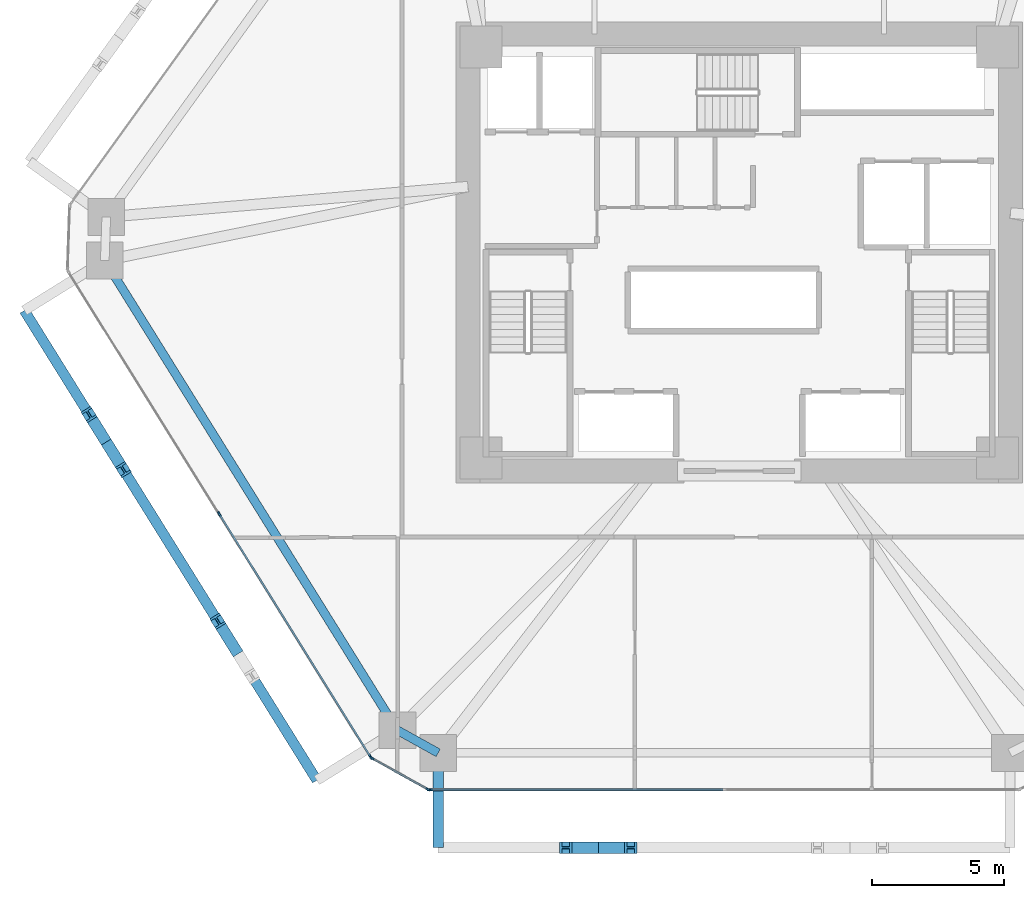
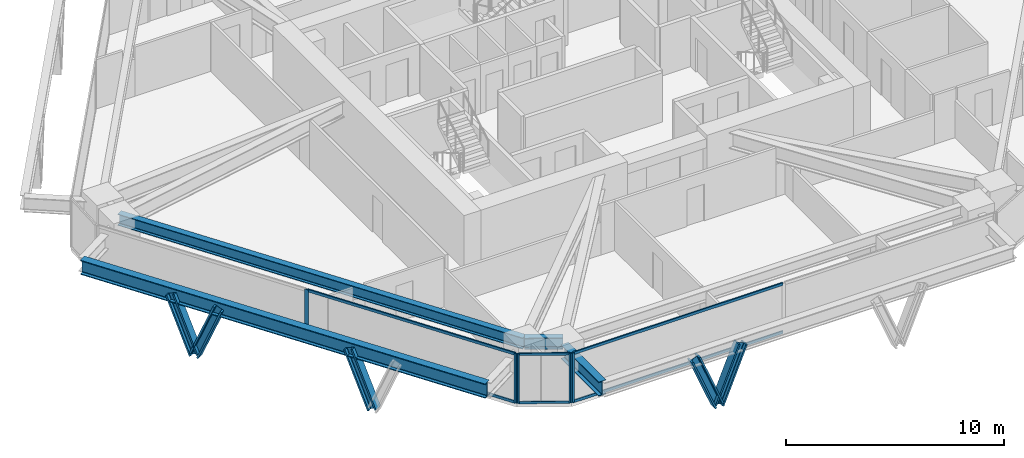
# One storey, part 2 of 15: 16 members, 4 beams, 3 elements without a shape of their own.
"""IFC4 building model written with IfcOpenShell, lengths in metres."""

import ifcopenshell
import ifcopenshell.guid

model = None  # the IFC model being written
_history = None  # IfcOwnerHistory: only IFC2X3 demands one
_inside = {}  # id of a spatial element -> (the spatial element, [elements in it])
_under = {}  # id of a project, library or spatial element -> (it, [spatial elements below it])
_declared = {}  # id of a project -> (the project, [libraries it declares])
_typed = {}  # id of a type object -> (the type object, [elements of that type])
_made_of = {}  # id of a material, layer set ... -> (it, [elements and type objects made of it])


def new_model(schema):
    """Start an empty IFC model of exactly this schema.

    Asked for "IFC4X3", IfcOpenShell would pick the latest addendum, in which some entities
    have other attributes; the version numbers below select the first issue.
    IFC2X3 requires an IfcOwnerHistory on every rooted entity: one is made here for all.
    """
    global model, _history
    if schema == "IFC4X3":
        model = ifcopenshell.file(schema_version=(4, 3, 0, 0))
    else:
        model = ifcopenshell.file(schema=schema)
    _inside.clear()
    _under.clear()
    _declared.clear()
    _typed.clear()
    _made_of.clear()
    _history = None
    if model.schema == "IFC2X3":
        org = make("IfcOrganization", Name="unknown")
        user = make(
            "IfcPersonAndOrganization",
            ThePerson=make("IfcPerson", FamilyName="unknown"),
            TheOrganization=org,
        )
        app = make(
            "IfcApplication",
            ApplicationDeveloper=org,
            Version="unknown",
            ApplicationFullName="unknown",
            ApplicationIdentifier="unknown",
        )
        _history = make(
            "IfcOwnerHistory",
            OwningUser=user,
            OwningApplication=app,
            ChangeAction="ADDED",
            CreationDate=0,
        )
    return model


def make(cls, **values):
    """One entity of the class cls with the attributes given. An attribute that is None is left unset."""
    return model.create_entity(
        cls, **{name: value for name, value in values.items() if value is not None}
    )


def rooted(cls, **values):
    """An entity with a GlobalId (a new one), such as an element, a storey or a relation."""
    return make(cls, GlobalId=ifcopenshell.guid.new(), OwnerHistory=_history, **values)


def si_unit(unit_type, name, prefix=None):
    """IfcSIUnit, for example si_unit("LENGTHUNIT", "METRE", prefix="MILLI")."""
    return make("IfcSIUnit", UnitType=unit_type, Prefix=prefix, Name=name)


def assignment(units):
    """IfcUnitAssignment: the units of a project."""
    return None if units is None else make("IfcUnitAssignment", Units=units)


def point(xyz):
    """IfcCartesianPoint."""
    return None if xyz is None else make("IfcCartesianPoint", Coordinates=xyz)


def direction(xyz):
    """IfcDirection."""
    return None if xyz is None else make("IfcDirection", DirectionRatios=xyz)


def frame(location, z_axis=None, x_axis=None):
    """IfcAxis2Placement3D, a coordinate frame: its origin and axes. An axis left out is left unset."""
    return make(
        "IfcAxis2Placement3D",
        Location=point(location),
        Axis=direction(z_axis),
        RefDirection=direction(x_axis),
    )


def frame_2d(location, x_axis=None):
    """IfcAxis2Placement2D, a coordinate frame in the plane: its origin and x axis."""
    return make(
        "IfcAxis2Placement2D", Location=point(location), RefDirection=direction(x_axis)
    )


def origin():
    """The frame at (0, 0, 0) with its axes left unset."""
    return frame((0.0, 0.0, 0.0))


def origin_2d():
    """The frame at (0, 0) in the plane with its x axis left unset."""
    return frame_2d((0.0, 0.0))


def place(relative_to, where):
    """IfcLocalPlacement: puts the frame where relative to a parent placement (None: the world)."""
    return make(
        "IfcLocalPlacement", PlacementRelTo=relative_to, RelativePlacement=where
    )


def context(
    kind, dimensions, precision=None, world=None, true_north=None, identifier=None
):
    """IfcGeometricRepresentationContext, for example the 3D "Model" context."""
    return make(
        "IfcGeometricRepresentationContext",
        ContextIdentifier=identifier,
        ContextType=kind,
        CoordinateSpaceDimension=dimensions,
        Precision=precision,
        WorldCoordinateSystem=world,
        TrueNorth=true_north,
    )


def subcontext(parent, identifier, kind, view, scale=None):
    """IfcGeometricRepresentationSubContext, for example "Body" below "Model"."""
    return make(
        "IfcGeometricRepresentationSubContext",
        ContextIdentifier=identifier,
        ContextType=kind,
        ParentContext=parent,
        TargetScale=scale,
        TargetView=view,
    )


def project(units=None, contexts=None):
    """IfcProject with its units and contexts."""
    return rooted(
        "IfcProject",
        Name="project",
        RepresentationContexts=contexts,
        UnitsInContext=assignment(units),
    )


def spatial(cls, under=None, at=None, **own):
    """A site, building, storey or space (cls), placed at a placement, below another one or the project."""
    s = rooted(cls, ObjectPlacement=at, **own)
    if under is not None:
        _under.setdefault(under.id(), (under, []))[1].append(s)
    return s


def profile(cls, at=None, kind="AREA", **sizes):
    """A parametric profile (cls). Its sizes go by their IFC names, for example OverallWidth=200.0."""
    return make(cls, ProfileType=kind, Position=at, **sizes)


def rectangle(**sizes):
    """IfcRectangleProfileDef."""
    return profile("IfcRectangleProfileDef", **sizes)


def i_section(**sizes):
    """IfcIShapeProfileDef."""
    return profile("IfcIShapeProfileDef", **sizes)


def extrude(swept, where, along, depth):
    """IfcExtrudedAreaSolid: the profile swept, set in the frame where, extruded along a direction by depth."""
    return make(
        "IfcExtrudedAreaSolid",
        SweptArea=swept,
        Position=where,
        ExtrudedDirection=direction(along),
        Depth=depth,
    )


def shape(context_of_items, identifier, shape_type, items):
    """IfcShapeRepresentation: the items that make up one representation, for example the "Body"."""
    return make(
        "IfcShapeRepresentation",
        ContextOfItems=context_of_items,
        RepresentationIdentifier=identifier,
        RepresentationType=shape_type,
        Items=items,
    )


def source(mapping_origin, context_of_items, identifier, shape_type, items):
    """IfcRepresentationMap: a shape defined once, which mapped items show again and again."""
    return make(
        "IfcRepresentationMap",
        MappingOrigin=mapping_origin,
        MappedRepresentation=shape(context_of_items, identifier, shape_type, items),
    )


def transform(
    local_origin,
    x_axis=None,
    y_axis=None,
    z_axis=None,
    scale=None,
    scale2=None,
    scale3=None,
    uniform=True,
):
    """IfcCartesianTransformationOperator3D, or its non-uniform kind. x_axis, y_axis, z_axis: its Axis1, 2, 3."""
    if uniform:
        return make(
            "IfcCartesianTransformationOperator3D",
            Axis1=direction(x_axis),
            Axis2=direction(y_axis),
            LocalOrigin=point(local_origin),
            Scale=scale,
            Axis3=direction(z_axis),
        )
    return make(
        "IfcCartesianTransformationOperator3DnonUniform",
        Axis1=direction(x_axis),
        Axis2=direction(y_axis),
        LocalOrigin=point(local_origin),
        Scale=scale,
        Axis3=direction(z_axis),
        Scale2=scale2,
        Scale3=scale3,
    )


def mapped(mapping_source, mapping_target):
    """IfcMappedItem: shows the shape of a source again, moved by a transform."""
    return make(
        "IfcMappedItem", MappingSource=mapping_source, MappingTarget=mapping_target
    )


def material(Name=None, Category=None):
    """IfcMaterial."""
    return make("IfcMaterial", Name=Name, Category=Category)


def layer(
    of_material, thickness, ventilated=None, Name=None, Category=None, Priority=None
):
    """IfcMaterialLayer: one layer of a wall or slab, of a material (None: an air gap)."""
    return make(
        "IfcMaterialLayer",
        Material=of_material,
        LayerThickness=thickness,
        IsVentilated=ventilated,
        Name=Name,
        Category=Category,
        Priority=Priority,
    )


def layer_set(layers, Name=None):
    """IfcMaterialLayerSet."""
    return make("IfcMaterialLayerSet", MaterialLayers=layers, LayerSetName=Name)


def material_profile(
    of_material, cross_section, Name=None, Category=None, Priority=None
):
    """IfcMaterialProfile: a cross section and its material."""
    return make(
        "IfcMaterialProfile",
        Name=Name,
        Material=of_material,
        Profile=cross_section,
        Priority=Priority,
        Category=Category,
    )


def profile_set(profiles, Name=None, composite=None):
    """IfcMaterialProfileSet."""
    return make(
        "IfcMaterialProfileSet",
        Name=Name,
        MaterialProfiles=profiles,
        CompositeProfile=composite,
    )


def made_of(thing, what):
    """Note that an element or type object is made of a material, layer set ...; save() writes the relation."""
    if what is not None:
        _made_of.setdefault(what.id(), (what, []))[1].append(thing)
    return thing


def type_object(cls, material=None, **own):
    """A type object (cls), such as IfcWallType, which elements share."""
    return made_of(rooted(cls, **own), material)


def type_shapes(of_type, sources):
    """Give a type object the sources (RepresentationMaps) that its elements show as mapped items."""
    of_type.RepresentationMaps = sources


def element(
    cls,
    number,
    at=None,
    inside=None,
    cuts=None,
    type_object=None,
    material=None,
    context=None,
    identifier="Body",
    shape_type=None,
    held_by="IfcProductDefinitionShape",
    body=None,
    shapes=None,
    **own,
):
    """One element of the class cls, such as IfcWall. Its Tag is "e" and its number.

    at: its placement. inside: the storey or other place that contains it. cuts: it is an
    opening in that element (IfcRelVoidsElement). A single representation is given by context,
    identifier, shape_type and body (its items); several are given by shapes. held_by: the class
    of the entity that holds the representations. save() writes the other relations.
    """
    e = rooted(cls, Tag="e%d" % number, ObjectPlacement=at, **own)
    if body is not None:
        shapes = [shape(context, identifier, shape_type, body)]
    if shapes is not None:
        e.Representation = make(held_by, Representations=shapes)
    if inside is not None:
        _inside.setdefault(inside.id(), (inside, []))[1].append(e)
    if cuts is not None:
        rooted(
            "IfcRelVoidsElement", RelatingBuildingElement=cuts, RelatedOpeningElement=e
        )
    if type_object is not None:
        _typed.setdefault(type_object.id(), (type_object, []))[1].append(e)
    return made_of(e, material)


def aggregate(whole, parts):
    """IfcRelAggregates: a whole, such as a stair, and the parts it consists of."""
    return rooted("IfcRelAggregates", RelatingObject=whole, RelatedObjects=parts)


def save(model, path):
    """Write the relations noted so far, then the file.

    IfcRelAggregates (storeys below a building ...), IfcRelContainedInSpatialStructure (elements
    in a storey), IfcRelDefinesByType, IfcRelAssociatesMaterial and IfcRelDeclares: one each for
    every whole, place, type object, material and project.
    """
    for whole, parts in _under.values():
        aggregate(whole, parts)
    for where, things in _inside.values():
        rooted(
            "IfcRelContainedInSpatialStructure",
            RelatedElements=things,
            RelatingStructure=where,
        )
    for kind, things in _typed.values():
        rooted("IfcRelDefinesByType", RelatedObjects=things, RelatingType=kind)
    for what, things in _made_of.values():
        rooted("IfcRelAssociatesMaterial", RelatedObjects=things, RelatingMaterial=what)
    for by, libraries in _declared.values():
        rooted("IfcRelDeclares", RelatingContext=by, RelatedDefinitions=libraries)
    model.write(path)


model = new_model("IFC4")

# Units and contexts
model_context = context("Model", 3, precision=1e-05, world=origin(), true_north=direction((0.0, 1.0)))
body_context = subcontext(model_context, "Body", "Model", "MODEL_VIEW")
ifc_project = project(units=[si_unit("LENGTHUNIT", "METRE"), si_unit("AREAUNIT", "SQUARE_METRE"), si_unit("VOLUMEUNIT", "CUBIC_METRE"), si_unit("PLANEANGLEUNIT", "RADIAN"), si_unit("MASSUNIT", "GRAM", prefix="KILO")], contexts=[model_context])

# Site, building, storey
site_placement = place(None, origin())
site = spatial("IfcSite", under=ifc_project, at=site_placement, CompositionType="ELEMENT")
building_placement = place(site_placement, origin())
building = spatial("IfcBuilding", under=site, at=building_placement, Name="Durnholm Broadcast Tower", CompositionType="ELEMENT")
storey_placement = place(building_placement, frame((0.0, 0.0, 81.300048828125)))
storey = spatial("IfcBuildingStorey", under=building, at=storey_placement, Name="L21", CompositionType="ELEMENT", Elevation=81.300048828125)

# Beams
ifc_material_1 = material(Name="Steel ASTM A992 Grade 50", Category="steel")
ifc_material_profile_1 = material_profile(ifc_material_1, i_section(OverallWidth=0.3291015625, OverallDepth=0.635009765625, WebThickness=0.017822265625, FlangeThickness=0.031005859375, FilletRadius=0.02783203125, at=origin_2d()), Name="W24X162")
ifc_profile_set_1 = profile_set([ifc_material_profile_1], Name="Steel ASTM A992 Grade 50")
beam_type_1 = type_object("IfcBeamType", Name="STL-SP-W24X162", PredefinedType="SPANDREL", material=ifc_profile_set_1)
shared_shape_1 = source(origin(), body_context, "Body", "SweptSolid", [
    extrude(i_section(OverallWidth=0.3291015625, OverallDepth=0.635009765625, WebThickness=0.017822265625, FlangeThickness=0.031005859375, FilletRadius=0.02783203125, at=origin_2d()), origin(), (0.0, 0.0, 1.0), 21.014404296875),
])
beam_1_placement = place(storey_placement, frame((-12.982666015625, -18.138427734375, 2.427490234375), z_axis=(-0.528595731543, 0.848873696491, 0.0), x_axis=(-0.848873696491, -0.528595731543, 0.0)))
element("IfcBeam", 1, at=beam_1_placement, inside=storey, type_object=beam_type_1, Name="L21 perimeter spandrel girder 01", PredefinedType="SPANDREL", context=body_context, shape_type="MappedRepresentation", body=[
    mapped(shared_shape_1, transform((0.0, 0.0, 0.0), x_axis=(1.0, 0.0, 0.0), y_axis=(0.0, 1.0, 0.0), z_axis=(0.0, 0.0, 1.0), scale=1.0)),
])
shared_shape_2 = source(origin(), body_context, "Body", "SweptSolid", [
    extrude(i_section(OverallWidth=0.3291015625, OverallDepth=0.635009765625, WebThickness=0.017822265625, FlangeThickness=0.031005859375, FilletRadius=0.02783203125, at=origin_2d()), origin(), (0.0, 0.0, 1.0), 1.774658203125),
])
type_shapes(beam_type_1, [shared_shape_1, shared_shape_2])
beam_2_placement = place(storey_placement, frame((-11.43115234375, -19.0, 2.427490234375), z_axis=(-0.874248107979, 0.485479397806, 0.0), x_axis=(-0.485479397806, -0.874248107979, 0.0)))
element("IfcBeam", 2, at=beam_2_placement, inside=storey, type_object=beam_type_1, Name="L21 perimeter spandrel girder 12", PredefinedType="SPANDREL", context=body_context, shape_type="MappedRepresentation", body=[
    mapped(shared_shape_2, transform((0.0, 0.0, 0.0), x_axis=(1.0, 0.0, 0.0), y_axis=(0.0, 1.0, 0.0), z_axis=(0.0, 0.0, 1.0), scale=1.0)),
])
ifc_material_profile_2 = material_profile(ifc_material_1, i_section(OverallWidth=0.385009765625, OverallDepth=0.802978515625, WebThickness=0.023681640625, FlangeThickness=0.0419921875, FilletRadius=0.032958984375, at=origin_2d()), Name="W30X261")
ifc_profile_set_2 = profile_set([ifc_material_profile_2], Name="Steel ASTM A992 Grade 50")
beam_type_2 = type_object("IfcBeamType", Name="BM-EXO-TIE", PredefinedType="USERDEFINED", material=ifc_profile_set_2)
shared_shape_3 = source(origin(), body_context, "Body", "SweptSolid", [
    extrude(i_section(OverallWidth=0.385009765625, OverallDepth=0.802978515625, WebThickness=0.023681640625, FlangeThickness=0.0419921875, FilletRadius=0.032958984375, at=origin_2d()), origin(), (0.0, 0.0, 1.0), 3.4560546875),
])
beam_3_placement = place(storey_placement, frame((-11.43115234375, -19.14404296875, 2.008544921875), z_axis=(0.0, -1.0, 0.0), x_axis=(1.0, 0.0, 0.0)))
element("IfcBeam", 3, at=beam_3_placement, inside=storey, type_object=beam_type_2, Name="L21 exoskeleton stand-off tie bracket F1.1", ObjectType="GIRDER", PredefinedType="USERDEFINED", context=body_context, shape_type="MappedRepresentation", body=[
    mapped(shared_shape_3, transform((0.0, 0.0, 0.0), x_axis=(1.0, 0.0, 0.0), y_axis=(0.0, 1.0, 0.0), z_axis=(0.0, 0.0, 1.0), scale=1.0)),
])
shared_shape_4 = source(origin(), body_context, "Body", "SweptSolid", [
    extrude(i_section(OverallWidth=0.385009765625, OverallDepth=0.802978515625, WebThickness=0.023681640625, FlangeThickness=0.0419921875, FilletRadius=0.032958984375, at=origin_2d()), origin(), (0.0, 0.0, 1.0), 21.0146484375),
])
type_shapes(beam_type_2, [shared_shape_3, shared_shape_4])
beam_4_placement = place(storey_placement, frame((-27.146728515625, -2.20263671875, 2.008544921875), z_axis=(0.528590518575, -0.848876942597, 0.0), x_axis=(0.848876942597, 0.528590518575, 0.0)))
element("IfcBeam", 4, at=beam_4_placement, inside=storey, type_object=beam_type_2, Name="L21 exoskeleton collector spandrel F6", PredefinedType="SPANDREL", context=body_context, shape_type="MappedRepresentation", body=[
    mapped(shared_shape_4, transform((0.0, 0.0, 0.0), x_axis=(1.0, 0.0, 0.0), y_axis=(0.0, 1.0, 0.0), z_axis=(0.0, 0.0, 1.0), scale=1.0)),
])

# Members
ifc_material_2 = material(Name="Steel ASTM A913 Grade 65", Category="steel")
ifc_material_profile_3 = material_profile(ifc_material_2, i_section(OverallWidth=0.43212890625, OverallDepth=0.497802734375, WebThickness=0.0556640625, FlangeThickness=0.0888671875, FilletRadius=0.030517578125, at=origin_2d()), Name="W14X500")
ifc_profile_set_3 = profile_set([ifc_material_profile_3], Name="Steel ASTM A913 Grade 65")
member_type_1 = type_object("IfcMemberType", Name="STL-DG-W14X500", PredefinedType="BRACE", material=ifc_profile_set_3)
shared_shape_5 = source(origin(), body_context, "Body", "SweptSolid", [
    extrude(i_section(OverallWidth=0.43212890625, OverallDepth=0.497802734375, WebThickness=0.0556640625, FlangeThickness=0.0888671875, FilletRadius=0.030517578125, at=origin_2d()), origin(), (0.0, 0.0, 1.0), 3.243896484375),
])
type_shapes(member_type_1, [shared_shape_5])
for number, where, z_axis, x_axis, name in (
    (5, (-5.351318359375, -22.60009765625, -0.991455078125), (-0.380378804119, 0.0, 0.924830776616), (0.0, -1.0, 0.0), "L21 stand-off diagrid brace F1.D1.1"),
    (6, (-5.351318359375, -22.60009765625, -0.991455078125), (0.380378804119, 0.0, 0.924830776616), (0.0, 1.0, 0.0), "L21 stand-off diagrid brace F1.D1.2"),
    (7, (-24.036376953125, -7.197509765625, -0.991455078125), (-0.201102088214, 0.322877229954, 0.924828764958), (-0.848819847179, -0.528682198523, 0.0), "L21 stand-off diagrid brace F6.D1.1"),
    (8, (-24.036376953125, -7.197509765625, -0.991455078125), (0.201029867597, -0.322882116058, 0.9248427604), (0.848908635391, 0.528539618911, 0.0), "L21 stand-off diagrid brace F6.D1.2"),
    (9, (-19.14892578125, -15.04638671875, -0.991455078125), (-0.201029867597, 0.322882116058, 0.9248427604), (-0.848908635391, -0.528539618911, 0.0), "L21 stand-off diagrid brace F6.D2.1"),
):
    element("IfcMember", number, at=place(storey_placement, frame(where, z_axis=z_axis, x_axis=x_axis)), inside=storey, type_object=member_type_1, Name=name, PredefinedType="BRACE", context=body_context, shape_type="MappedRepresentation", body=[
        mapped(shared_shape_5, transform((0.0, 0.0, 0.0), x_axis=(1.0, 0.0, 0.0), y_axis=(0.0, 1.0, 0.0), z_axis=(0.0, 0.0, 1.0), scale=1.0)),
    ])

# Curtain wall, members
ifc_material_3 = material(Name="Aluminium and Solar Control IGU", Category="aluminium")
ifc_layer_1 = layer(ifc_material_3, 0.1650390625)
ifc_layer_set_1 = layer_set([ifc_layer_1], Name="Aluminium and Solar Control IGU")
curtain_wall_type_1 = type_object("IfcCurtainWallType", Name="CW-SYS-5", PredefinedType="NOTDEFINED", material=ifc_layer_set_1)
curtain_wall_1_placement = place(storey_placement, origin())
curtain_wall_1 = element("IfcCurtainWall", 10, at=curtain_wall_1_placement, inside=storey, type_object=curtain_wall_type_1, Name="L21 curtain wall CW-CORNER CW-L21-CRN-11", PredefinedType="NOTDEFINED")
ifc_material_4 = material(Name="Aluminium 6063-T6", Category="aluminium")
ifc_material_profile_4 = material_profile(ifc_material_4, rectangle(XDim=0.06494140625, YDim=0.1298828125, at=origin_2d()), Name="CWT65X130")
ifc_profile_set_4 = profile_set([ifc_material_profile_4], Name="Aluminium 6063-T6")
member_type_2 = type_object("IfcMemberType", Name="CW-SYS-5-TRN", PredefinedType="USERDEFINED", material=ifc_profile_set_4)
shared_shape_6 = source(origin(), body_context, "Body", "SweptSolid", [
    extrude(rectangle(XDim=0.06494140625, YDim=0.1298828125, at=origin_2d()), origin(), (0.0, 0.0, 1.0), 2.3701171875),
])
type_shapes(member_type_2, [shared_shape_6])
member_1_placement = place(storey_placement, frame((-11.8505859375, -20.368408203125, 0.032470703125), z_axis=(-0.874244723151, 0.485485493132, 0.0), x_axis=(-0.485485493132, -0.874244723151, 0.0)))
member_1 = element("IfcMember", 11, at=member_1_placement, type_object=member_type_2, Name="CW-CORNER transom 1.1", ObjectType="TRANSOM", PredefinedType="USERDEFINED", context=body_context, shape_type="MappedRepresentation", body=[
    mapped(shared_shape_6, transform((0.0, 0.0, 0.0), x_axis=(1.0, 0.0, 0.0), y_axis=(0.0, 1.0, 0.0), z_axis=(0.0, 0.0, 1.0), scale=1.0)),
])
member_2_placement = place(storey_placement, frame((-11.8505859375, -20.368408203125, 2.7275390625), z_axis=(-0.874244723151, 0.485485493132, 0.0), x_axis=(-0.485485493132, -0.874244723151, 0.0)))
member_2 = element("IfcMember", 12, at=member_2_placement, type_object=member_type_2, Name="CW-CORNER transom 1.2", ObjectType="TRANSOM", PredefinedType="USERDEFINED", context=body_context, shape_type="MappedRepresentation", body=[
    mapped(shared_shape_6, transform((0.0, 0.0, 0.0), x_axis=(1.0, 0.0, 0.0), y_axis=(0.0, 1.0, 0.0), z_axis=(0.0, 0.0, 1.0), scale=1.0)),
])

ifc_layer_2 = layer(ifc_material_3, 0.18994140625)
ifc_layer_set_2 = layer_set([ifc_layer_2], Name="Aluminium and Solar Control IGU")
curtain_wall_type_2 = type_object("IfcCurtainWallType", Name="CW-SYS-3", PredefinedType="NOTDEFINED", material=ifc_layer_set_2)
curtain_wall_2_placement = place(storey_placement, origin())
curtain_wall_2 = element("IfcCurtainWall", 13, at=curtain_wall_2_placement, inside=storey, type_object=curtain_wall_type_2, Name="L21 curtain wall CW-Z12-VIS CW-L21-F12", PredefinedType="NOTDEFINED")
ifc_material_profile_5 = material_profile(ifc_material_4, rectangle(XDim=0.070068359375, YDim=0.14990234375, at=origin_2d()), Name="CWT70X150")
ifc_profile_set_5 = profile_set([ifc_material_profile_5], Name="Aluminium 6063-T6")
member_type_3 = type_object("IfcMemberType", Name="CW-SYS-3-TRN", PredefinedType="USERDEFINED", material=ifc_profile_set_5)
shared_shape_7 = source(origin(), body_context, "Body", "SweptSolid", [
    extrude(rectangle(XDim=0.070068359375, YDim=0.14990234375, at=origin_2d()), origin(), (0.0, 0.0, 1.0), 10.796630859375),
])
member_3_placement = place(storey_placement, frame((-14.016357421875, -19.126953125, 0.034912109375), z_axis=(-0.528591657678, 0.848876233283, 0.0), x_axis=(-0.848876233283, -0.528591657678, 0.0)))
member_3 = element("IfcMember", 14, at=member_3_placement, type_object=member_type_3, Name="CW-Z12-VIS transom 1.1", ObjectType="TRANSOM", PredefinedType="USERDEFINED", context=body_context, shape_type="MappedRepresentation", body=[
    mapped(shared_shape_7, transform((0.0, 0.0, 0.0), x_axis=(1.0, 0.0, 0.0), y_axis=(0.0, 1.0, 0.0), z_axis=(0.0, 0.0, 1.0), scale=1.0)),
])
member_4_placement = place(storey_placement, frame((-14.016357421875, -19.126953125, 2.724853515625), z_axis=(-0.528591657678, 0.848876233283, 0.0), x_axis=(-0.848876233283, -0.528591657678, 0.0)))
member_4 = element("IfcMember", 15, at=member_4_placement, type_object=member_type_3, Name="CW-Z12-VIS transom 1.2", ObjectType="TRANSOM", PredefinedType="USERDEFINED", context=body_context, shape_type="MappedRepresentation", body=[
    mapped(shared_shape_7, transform((0.0, 0.0, 0.0), x_axis=(1.0, 0.0, 0.0), y_axis=(0.0, 1.0, 0.0), z_axis=(0.0, 0.0, 1.0), scale=1.0)),
])

curtain_wall_3_placement = place(storey_placement, origin())
curtain_wall_3 = element("IfcCurtainWall", 16, at=curtain_wall_3_placement, inside=storey, type_object=curtain_wall_type_2, Name="L21 curtain wall CW-Z12-VIS CW-L21-F10", PredefinedType="NOTDEFINED")
shared_shape_8 = source(origin(), body_context, "Body", "SweptSolid", [
    extrude(rectangle(XDim=0.070068359375, YDim=0.14990234375, at=origin_2d()), origin(), (0.0, 0.0, 1.0), 11.10205078125),
])
type_shapes(member_type_3, [shared_shape_7, shared_shape_8])
member_5_placement = place(storey_placement, frame((-0.621826171875, -20.39990234375, 0.034912109375), z_axis=(-1.0, 0.0, 0.0), x_axis=(0.0, -1.0, 0.0)))
member_5 = element("IfcMember", 17, at=member_5_placement, type_object=member_type_3, Name="CW-Z12-VIS transom 2.1", ObjectType="TRANSOM", PredefinedType="USERDEFINED", context=body_context, shape_type="MappedRepresentation", body=[
    mapped(shared_shape_8, transform((0.0, 0.0, 0.0), x_axis=(1.0, 0.0, 0.0), y_axis=(0.0, 1.0, 0.0), z_axis=(0.0, 0.0, 1.0), scale=1.0)),
])
member_6_placement = place(storey_placement, frame((-0.621826171875, -20.39990234375, 2.724853515625), z_axis=(-1.0, 0.0, 0.0), x_axis=(0.0, -1.0, 0.0)))
member_6 = element("IfcMember", 18, at=member_6_placement, type_object=member_type_3, Name="CW-Z12-VIS transom 2.2", ObjectType="TRANSOM", PredefinedType="USERDEFINED", context=body_context, shape_type="MappedRepresentation", body=[
    mapped(shared_shape_8, transform((0.0, 0.0, 0.0), x_axis=(1.0, 0.0, 0.0), y_axis=(0.0, 1.0, 0.0), z_axis=(0.0, 0.0, 1.0), scale=1.0)),
])

# Member
ifc_material_profile_6 = material_profile(ifc_material_4, rectangle(XDim=0.06494140625, YDim=0.1650390625, at=origin_2d()), Name="CWM65X165")
ifc_profile_set_6 = profile_set([ifc_material_profile_6], Name="Aluminium 6063-T6")
member_type_4 = type_object("IfcMemberType", Name="CW-SYS-5-MUL", PredefinedType="MULLION", material=ifc_profile_set_6)
shared_shape_9 = source(origin(), body_context, "Body", "SweptSolid", [
    extrude(rectangle(XDim=0.06494140625, YDim=0.1650390625, at=origin_2d()), origin(), (0.0, 0.0, 1.0), 2.760009765625),
])
type_shapes(member_type_4, [shared_shape_9])
member_7_placement = place(storey_placement, frame((-11.822265625, -20.38427734375, 0.0), z_axis=(0.0, 0.0, 1.0), x_axis=(-0.485483299359, -0.874245941394, 0.0)))
member_7 = element("IfcMember", 19, at=member_7_placement, type_object=member_type_4, Name="CW-CORNER mullion 1", PredefinedType="MULLION", context=body_context, shape_type="MappedRepresentation", body=[
    mapped(shared_shape_9, transform((0.0, 0.0, 0.0), x_axis=(1.0, 0.0, 0.0), y_axis=(0.0, 1.0, 0.0), z_axis=(0.0, 0.0, 1.0), scale=1.0)),
])

member_8_placement = place(storey_placement, frame((-13.950927734375, -19.2021484375, 0.0), z_axis=(0.0, 0.0, 1.0), x_axis=(-0.485483299359, -0.874245941394, 0.0)))
member_8 = element("IfcMember", 20, at=member_8_placement, type_object=member_type_4, Name="CW-CORNER mullion 2", PredefinedType="MULLION", context=body_context, shape_type="MappedRepresentation", body=[
    mapped(shared_shape_9, transform((0.0, 0.0, 0.0), x_axis=(1.0, 0.0, 0.0), y_axis=(0.0, 1.0, 0.0), z_axis=(0.0, 0.0, 1.0), scale=1.0)),
])

aggregate(curtain_wall_1, [member_7, member_8, member_1, member_2])

ifc_material_profile_7 = material_profile(ifc_material_4, rectangle(XDim=0.070068359375, YDim=0.18994140625, at=origin_2d()), Name="CWM70X190")
ifc_profile_set_7 = profile_set([ifc_material_profile_7], Name="Aluminium 6063-T6")
member_type_5 = type_object("IfcMemberType", Name="CW-SYS-3-MUL", PredefinedType="MULLION", material=ifc_profile_set_7)
shared_shape_10 = source(origin(), body_context, "Body", "SweptSolid", [
    extrude(rectangle(XDim=0.070068359375, YDim=0.18994140625, at=origin_2d()), origin(), (0.0, 0.0, 1.0), 2.760009765625),
])
type_shapes(member_type_5, [shared_shape_10])
member_9_placement = place(storey_placement, frame((-11.7587890625, -20.39990234375, 0.0), z_axis=(0.0, 0.0, 1.0), x_axis=(0.0, -1.0, 0.0)))
member_9 = element("IfcMember", 21, at=member_9_placement, type_object=member_type_5, Name="CW-Z12-VIS mullion 3", PredefinedType="MULLION", context=body_context, shape_type="MappedRepresentation", body=[
    mapped(shared_shape_10, transform((0.0, 0.0, 0.0), x_axis=(1.0, 0.0, 0.0), y_axis=(0.0, 1.0, 0.0), z_axis=(0.0, 0.0, 1.0), scale=1.0)),
])

aggregate(curtain_wall_3, [member_9, member_5, member_6])

member_10_placement = place(storey_placement, frame((-13.997802734375, -19.156494140625, 0.0), z_axis=(0.0, 0.0, 1.0), x_axis=(-0.848875785503, -0.528592376777, 0.0)))
member_10 = element("IfcMember", 22, at=member_10_placement, type_object=member_type_5, Name="CW-Z12-VIS mullion 1", PredefinedType="MULLION", context=body_context, shape_type="MappedRepresentation", body=[
    mapped(shared_shape_10, transform((0.0, 0.0, 0.0), x_axis=(1.0, 0.0, 0.0), y_axis=(0.0, 1.0, 0.0), z_axis=(0.0, 0.0, 1.0), scale=1.0)),
])

member_11_placement = place(storey_placement, frame((-19.741943359375, -9.93212890625, 0.0), z_axis=(0.0, 0.0, 1.0), x_axis=(-0.848875785503, -0.528592376777, 0.0)))
member_11 = element("IfcMember", 23, at=member_11_placement, type_object=member_type_5, Name="CW-Z12-VIS mullion 2", PredefinedType="MULLION", context=body_context, shape_type="MappedRepresentation", body=[
    mapped(shared_shape_10, transform((0.0, 0.0, 0.0), x_axis=(1.0, 0.0, 0.0), y_axis=(0.0, 1.0, 0.0), z_axis=(0.0, 0.0, 1.0), scale=1.0)),
])

aggregate(curtain_wall_2, [member_10, member_11, member_3, member_4])

save(model, "model.ifc")
